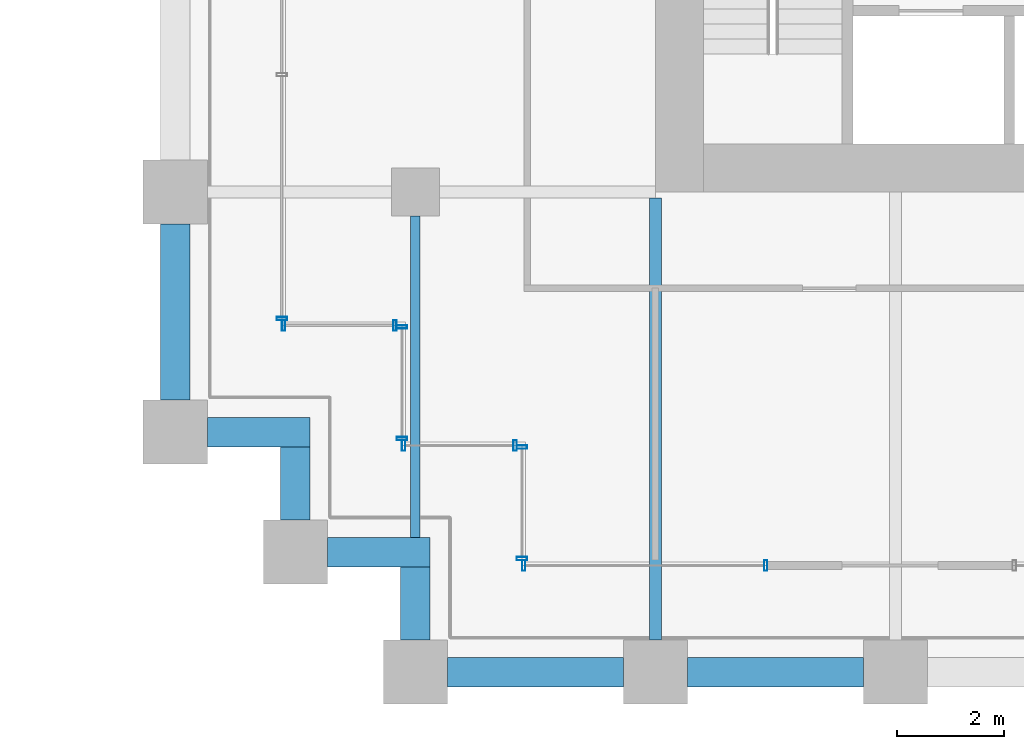
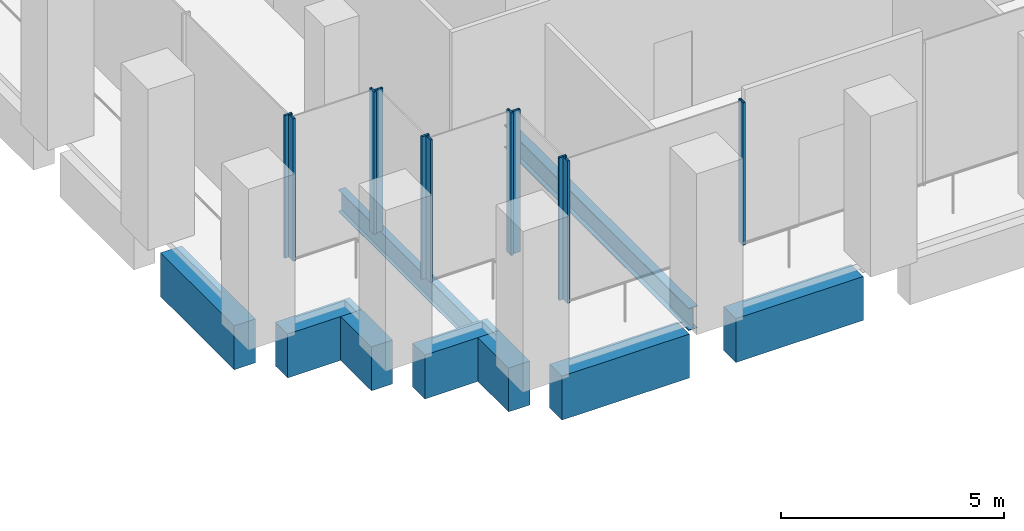
# One storey, part 19 of 36: 11 members, 9 beams, 6 elements without a shape of their own.
"""IFC4 building model written with IfcOpenShell, lengths in metres."""

from ifc_helpers import new_model, si_unit, direction, frame, origin, origin_2d, place, context, subcontext, project, spatial, rectangle, hollow_rectangle, i_section, extrude, material, material_profile, profile_set, type_object, element, aggregate, save


model = new_model("IFC4")

# Units and contexts
model_context = context("Model", 3, precision=1e-05, world=origin(), true_north=direction((0.0, 1.0)))
body_context = subcontext(model_context, "Body", "Model", "MODEL_VIEW")
ifc_project = project(units=[si_unit("LENGTHUNIT", "METRE"), si_unit("AREAUNIT", "SQUARE_METRE"), si_unit("VOLUMEUNIT", "CUBIC_METRE"), si_unit("PLANEANGLEUNIT", "RADIAN"), si_unit("MASSUNIT", "GRAM", prefix="KILO")], contexts=[model_context])

# Site, building, storey
site_placement = place(None, origin())
site = spatial("IfcSite", under=ifc_project, at=site_placement, CompositionType="ELEMENT")
building_placement = place(site_placement, origin())
building = spatial("IfcBuilding", under=site, at=building_placement, Name="Altepetl Exchange Towers", CompositionType="ELEMENT")
storey_placement = place(building_placement, frame((0.0, 0.0, 25.39990234375)))
storey = spatial("IfcBuildingStorey", under=building, at=storey_placement, Name="L05", CompositionType="ELEMENT", Elevation=25.39990234375)

# Beams
ifc_material_1 = material(Name="Steel S355", Category="steel")
ifc_material_profile_1 = material_profile(ifc_material_1, i_section(OverallWidth=0.178955078125, OverallDepth=0.60302734375, WebThickness=0.010986328125, FlangeThickness=0.014892578125, at=origin_2d()), Name="W24X62")
ifc_profile_set_1 = profile_set([ifc_material_profile_1], Name="Steel S355")
beam_type_1 = type_object("IfcBeamType", Name="Floor beam W24X62", PredefinedType="BEAM", material=ifc_profile_set_1)
beam_1_placement = place(storey_placement, frame((99.0, 29.52490234375, -0.476318359375), z_axis=(0.0, 1.0, 0.0), x_axis=(-1.0, 0.0, 0.0)))
element("IfcBeam", 1, at=beam_1_placement, inside=storey, type_object=beam_type_1, Name="bm:B:L05:008", PredefinedType="BEAM", context=body_context, shape_type="SweptSolid", body=[
    extrude(i_section(OverallWidth=0.178955078125, OverallDepth=0.60302734375, WebThickness=0.010986328125, FlangeThickness=0.014892578125, at=origin_2d()), origin(), (0.0, 0.0, 1.0), 6.025146484375),
])
ifc_material_profile_2 = material_profile(ifc_material_1, i_section(OverallWidth=0.22900390625, OverallDepth=0.612060546875, WebThickness=0.011962890625, FlangeThickness=0.01953125, at=origin_2d()), Name="W24X84")
ifc_profile_set_2 = profile_set([ifc_material_profile_2], Name="Steel S355")
beam_type_2 = type_object("IfcBeamType", Name="Floor beam W24X84", PredefinedType="BEAM", material=ifc_profile_set_2)
beam_2_placement = place(storey_placement, frame((103.5, 27.60009765625, -0.48095703125), z_axis=(0.0, 1.0, 0.0), x_axis=(-1.0, 0.0, 0.0)))
element("IfcBeam", 2, at=beam_2_placement, inside=storey, type_object=beam_type_2, Name="bm:B:L05:009", PredefinedType="BEAM", context=body_context, shape_type="SweptSolid", body=[
    extrude(i_section(OverallWidth=0.22900390625, OverallDepth=0.612060546875, WebThickness=0.011962890625, FlangeThickness=0.01953125, at=origin_2d()), origin(), (0.0, 0.0, 1.0), 8.285888671875),
])

# Curtain wall, member
ifc_material_2 = material(Name="Aluminium 6063-T6 glazing", Category="aluminium")
curtain_wall_type = type_object("IfcCurtainWallType", Name="Trading floor glazing system", PredefinedType="NOTDEFINED", material=ifc_material_2)
curtain_wall_1_placement = place(storey_placement, origin())
curtain_wall_1 = element("IfcCurtainWall", 3, at=curtain_wall_1_placement, inside=storey, type_object=curtain_wall_type, Name="CW2 run", PredefinedType="NOTDEFINED")
ifc_material_3 = material(Name="Aluminium 6063-T6", Category="aluminium")
ifc_material_profile_3 = material_profile(ifc_material_3, hollow_rectangle(XDim=0.06005859375, YDim=0.199951171875, WallThickness=0.0029296875, at=origin_2d()), Name="Mullion 60x200 aluminium")
ifc_profile_set_3 = profile_set([ifc_material_profile_3], Name="Aluminium 6063-T6")
member_type = type_object("IfcMemberType", Name="Mullion 60x200 aluminium", PredefinedType="MULLION", material=ifc_profile_set_3)
member_1_placement = place(storey_placement, frame((96.5, 33.6298828125, 0.0), z_axis=(0.0, 0.0, 1.0), x_axis=(0.0, -1.0, 0.0)))
member_1 = element("IfcMember", 4, at=member_1_placement, type_object=member_type, Name="MU2 mullion", PredefinedType="MULLION", context=body_context, shape_type="SweptSolid", body=[
    extrude(hollow_rectangle(XDim=0.06005859375, YDim=0.199951171875, WallThickness=0.0029296875, at=origin_2d()), origin(), (0.0, 0.0, 1.0), 3.900146484375),
])
aggregate(curtain_wall_1, [member_1])

# Curtain wall, members
curtain_wall_2_placement = place(storey_placement, origin())
curtain_wall_2 = element("IfcCurtainWall", 5, at=curtain_wall_2_placement, inside=storey, type_object=curtain_wall_type, Name="CW2 run", PredefinedType="NOTDEFINED")
member_2_placement = place(storey_placement, frame((96.530029296875, 33.5, 0.0)))
member_2 = element("IfcMember", 6, at=member_2_placement, type_object=member_type, Name="MU2 mullion", PredefinedType="MULLION", context=body_context, shape_type="SweptSolid", body=[
    extrude(hollow_rectangle(XDim=0.06005859375, YDim=0.199951171875, WallThickness=0.0029296875, at=origin_2d()), origin(), (0.0, 0.0, 1.0), 3.900146484375),
])
member_3_placement = place(storey_placement, frame((98.6201171875, 33.5, 0.0)))
member_3 = element("IfcMember", 7, at=member_3_placement, type_object=member_type, Name="MU2 mullion", PredefinedType="MULLION", context=body_context, shape_type="SweptSolid", body=[
    extrude(hollow_rectangle(XDim=0.06005859375, YDim=0.199951171875, WallThickness=0.0029296875, at=origin_2d()), origin(), (0.0, 0.0, 1.0), 3.900146484375),
])
aggregate(curtain_wall_2, [member_2, member_3])

curtain_wall_3_placement = place(storey_placement, origin())
curtain_wall_3 = element("IfcCurtainWall", 8, at=curtain_wall_3_placement, inside=storey, type_object=curtain_wall_type, Name="CW2 run", PredefinedType="NOTDEFINED")
member_4_placement = place(storey_placement, frame((98.75, 33.469970703125, 0.0), z_axis=(0.0, 0.0, 1.0), x_axis=(0.0, -1.0, 0.0)))
member_4 = element("IfcMember", 9, at=member_4_placement, type_object=member_type, Name="MU2 mullion", PredefinedType="MULLION", context=body_context, shape_type="SweptSolid", body=[
    extrude(hollow_rectangle(XDim=0.06005859375, YDim=0.199951171875, WallThickness=0.0029296875, at=origin_2d()), origin(), (0.0, 0.0, 1.0), 3.900146484375),
])
member_5_placement = place(storey_placement, frame((98.75, 31.3798828125, 0.0), z_axis=(0.0, 0.0, 1.0), x_axis=(0.0, -1.0, 0.0)))
member_5 = element("IfcMember", 10, at=member_5_placement, type_object=member_type, Name="MU2 mullion", PredefinedType="MULLION", context=body_context, shape_type="SweptSolid", body=[
    extrude(hollow_rectangle(XDim=0.06005859375, YDim=0.199951171875, WallThickness=0.0029296875, at=origin_2d()), origin(), (0.0, 0.0, 1.0), 3.900146484375),
])
aggregate(curtain_wall_3, [member_4, member_5])

curtain_wall_4_placement = place(storey_placement, origin())
curtain_wall_4 = element("IfcCurtainWall", 11, at=curtain_wall_4_placement, inside=storey, type_object=curtain_wall_type, Name="CW2 run", PredefinedType="NOTDEFINED")
member_6_placement = place(storey_placement, frame((98.780029296875, 31.25, 0.0)))
member_6 = element("IfcMember", 12, at=member_6_placement, type_object=member_type, Name="MU2 mullion", PredefinedType="MULLION", context=body_context, shape_type="SweptSolid", body=[
    extrude(hollow_rectangle(XDim=0.06005859375, YDim=0.199951171875, WallThickness=0.0029296875, at=origin_2d()), origin(), (0.0, 0.0, 1.0), 3.900146484375),
])
member_7_placement = place(storey_placement, frame((100.8701171875, 31.25, 0.0)))
member_7 = element("IfcMember", 13, at=member_7_placement, type_object=member_type, Name="MU2 mullion", PredefinedType="MULLION", context=body_context, shape_type="SweptSolid", body=[
    extrude(hollow_rectangle(XDim=0.06005859375, YDim=0.199951171875, WallThickness=0.0029296875, at=origin_2d()), origin(), (0.0, 0.0, 1.0), 3.900146484375),
])
aggregate(curtain_wall_4, [member_6, member_7])

curtain_wall_5_placement = place(storey_placement, origin())
curtain_wall_5 = element("IfcCurtainWall", 14, at=curtain_wall_5_placement, inside=storey, type_object=curtain_wall_type, Name="CW2 run", PredefinedType="NOTDEFINED")
member_8_placement = place(storey_placement, frame((101.0, 31.219970703125, 0.0), z_axis=(0.0, 0.0, 1.0), x_axis=(0.0, -1.0, 0.0)))
member_8 = element("IfcMember", 15, at=member_8_placement, type_object=member_type, Name="MU2 mullion", PredefinedType="MULLION", context=body_context, shape_type="SweptSolid", body=[
    extrude(hollow_rectangle(XDim=0.06005859375, YDim=0.199951171875, WallThickness=0.0029296875, at=origin_2d()), origin(), (0.0, 0.0, 1.0), 3.900146484375),
])
member_9_placement = place(storey_placement, frame((101.0, 29.1298828125, 0.0), z_axis=(0.0, 0.0, 1.0), x_axis=(0.0, -1.0, 0.0)))
member_9 = element("IfcMember", 16, at=member_9_placement, type_object=member_type, Name="MU2 mullion", PredefinedType="MULLION", context=body_context, shape_type="SweptSolid", body=[
    extrude(hollow_rectangle(XDim=0.06005859375, YDim=0.199951171875, WallThickness=0.0029296875, at=origin_2d()), origin(), (0.0, 0.0, 1.0), 3.900146484375),
])
aggregate(curtain_wall_5, [member_8, member_9])

curtain_wall_6_placement = place(storey_placement, origin())
curtain_wall_6 = element("IfcCurtainWall", 17, at=curtain_wall_6_placement, inside=storey, type_object=curtain_wall_type, Name="CW2 run", PredefinedType="NOTDEFINED")
member_10_placement = place(storey_placement, frame((101.030029296875, 29.0, 0.0)))
member_10 = element("IfcMember", 18, at=member_10_placement, type_object=member_type, Name="MU2 mullion", PredefinedType="MULLION", context=body_context, shape_type="SweptSolid", body=[
    extrude(hollow_rectangle(XDim=0.06005859375, YDim=0.199951171875, WallThickness=0.0029296875, at=origin_2d()), origin(), (0.0, 0.0, 1.0), 3.900146484375),
])
member_11_placement = place(storey_placement, frame((105.570068359375, 29.0, 0.0)))
member_11 = element("IfcMember", 19, at=member_11_placement, type_object=member_type, Name="MU2 mullion", PredefinedType="MULLION", context=body_context, shape_type="SweptSolid", body=[
    extrude(hollow_rectangle(XDim=0.06005859375, YDim=0.199951171875, WallThickness=0.0029296875, at=origin_2d()), origin(), (0.0, 0.0, 1.0), 3.900146484375),
])
aggregate(curtain_wall_6, [member_10, member_11])

# Beams
ifc_material_4 = material(Name="Concrete C50/60 precast with tezontle facing", Category="concrete")
ifc_material_profile_4 = material_profile(ifc_material_4, rectangle(XDim=0.550048828125, YDim=1.199951171875, at=origin_2d()), Name="550 x 1200")
ifc_profile_set_4 = profile_set([ifc_material_profile_4], Name="Concrete C50/60 precast with tezontle facing")
beam_type_3 = type_object("IfcBeamType", Name="Spandrel beam 550x1200 tezontle", PredefinedType="SPANDREL", material=ifc_profile_set_4)
for number, where, z_axis, x_axis, name in (
    (20, (99.60009765625, 27.0, -0.77490234375), (1.0, 0.0, 0.0), (0.0, 1.0, 0.0), "sp:B:L05:000"),
    (21, (104.10009765625, 27.0, -0.77490234375), (1.0, 0.0, 0.0), (0.0, 1.0, 0.0), "sp:B:L05:001"),
    (22, (94.5, 35.39990234375, -0.77490234375), (0.0, -1.0, 0.0), (1.0, 0.0, 0.0), "sp:B:L05:031"),
):
    element("IfcBeam", number, at=place(storey_placement, frame(where, z_axis=z_axis, x_axis=x_axis)), inside=storey, type_object=beam_type_3, Name=name, PredefinedType="SPANDREL", context=body_context, shape_type="SweptSolid", body=[
        extrude(rectangle(XDim=0.550048828125, YDim=1.199951171875, at=origin_2d()), origin(), (0.0, 0.0, 1.0), 3.2998046875),
    ])
beam_3_placement = place(storey_placement, frame((95.10009765625, 31.5, -0.77490234375), z_axis=(1.0, 0.0, 0.0), x_axis=(0.0, 1.0, 0.0)))
element("IfcBeam", 23, at=beam_3_placement, inside=storey, type_object=beam_type_3, Name="sp:B:L05:032", PredefinedType="SPANDREL", context=body_context, shape_type="SweptSolid", body=[
    extrude(rectangle(XDim=0.550048828125, YDim=1.199951171875, at=origin_2d()), origin(), (0.0, 0.0, 1.0), 1.9248046875),
])
beam_4_placement = place(storey_placement, frame((96.75, 31.22509765625, -0.77490234375), z_axis=(0.0, -1.0, 0.0), x_axis=(1.0, 0.0, 0.0)))
element("IfcBeam", 24, at=beam_4_placement, inside=storey, type_object=beam_type_3, Name="sp:B:L05:033", PredefinedType="SPANDREL", context=body_context, shape_type="SweptSolid", body=[
    extrude(rectangle(XDim=0.550048828125, YDim=1.199951171875, at=origin_2d()), origin(), (0.0, 0.0, 1.0), 1.375),
])
beam_5_placement = place(storey_placement, frame((97.35009765625, 29.25, -0.77490234375), z_axis=(1.0, 0.0, 0.0), x_axis=(0.0, 1.0, 0.0)))
element("IfcBeam", 25, at=beam_5_placement, inside=storey, type_object=beam_type_3, Name="sp:B:L05:034", PredefinedType="SPANDREL", context=body_context, shape_type="SweptSolid", body=[
    extrude(rectangle(XDim=0.550048828125, YDim=1.199951171875, at=origin_2d()), origin(), (0.0, 0.0, 1.0), 1.9248046875),
])
beam_6_placement = place(storey_placement, frame((99.0, 28.97509765625, -0.77490234375), z_axis=(0.0, -1.0, 0.0), x_axis=(1.0, 0.0, 0.0)))
element("IfcBeam", 26, at=beam_6_placement, inside=storey, type_object=beam_type_3, Name="sp:B:L05:035", PredefinedType="SPANDREL", context=body_context, shape_type="SweptSolid", body=[
    extrude(rectangle(XDim=0.550048828125, YDim=1.199951171875, at=origin_2d()), origin(), (0.0, 0.0, 1.0), 1.375),
])

save(model, "model.ifc")
